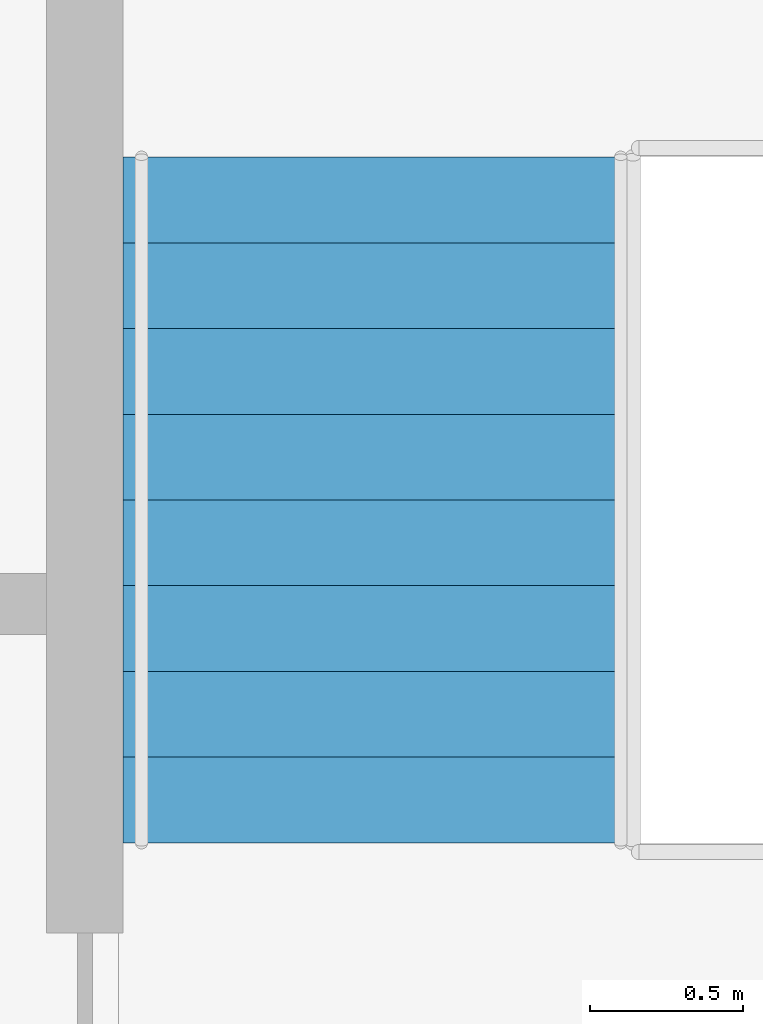
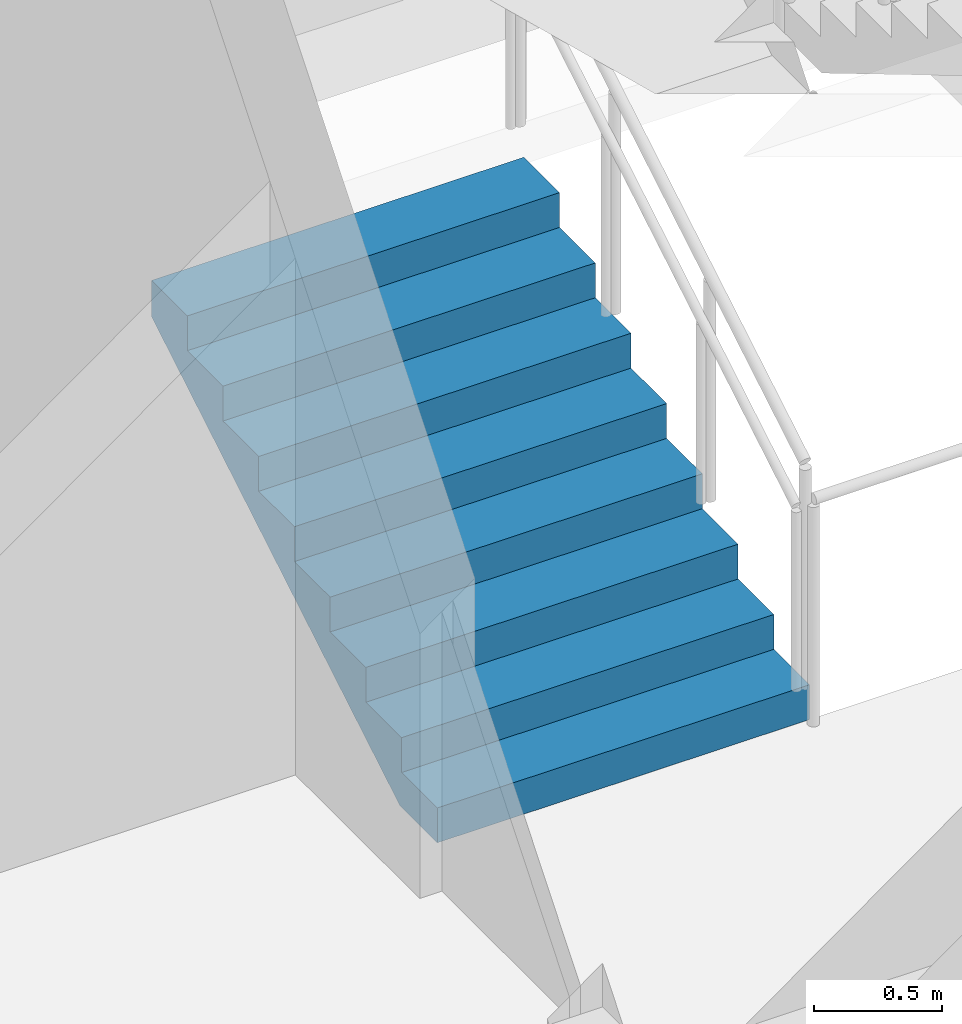
# One storey, part 27 of 57: 1 stair flight, 1 element without a shape of its own.
"""IFC4 building model written with IfcOpenShell, lengths in metres."""

from ifc_helpers import new_model, si_unit, direction, frame, origin, place, context, subcontext, project, spatial, triangles, material, type_object, element, aggregate, save


model = new_model("IFC4")

# Units and contexts
model_context = context("Model", 3, precision=1e-05, world=origin(), true_north=direction((0.0, 1.0)))
body_context = subcontext(model_context, "Body", "Model", "MODEL_VIEW")
ifc_project = project(units=[si_unit("LENGTHUNIT", "METRE"), si_unit("AREAUNIT", "SQUARE_METRE"), si_unit("VOLUMEUNIT", "CUBIC_METRE"), si_unit("PLANEANGLEUNIT", "RADIAN"), si_unit("MASSUNIT", "GRAM", prefix="KILO")], contexts=[model_context])

# Site, building, storey
site_placement = place(None, origin())
site = spatial("IfcSite", under=ifc_project, at=site_placement, CompositionType="ELEMENT")
building_placement = place(site_placement, origin())
building = spatial("IfcBuilding", under=site, at=building_placement, Name="Orbita Commons", CompositionType="ELEMENT")
storey_placement = place(building_placement, origin())
storey = spatial("IfcBuildingStorey", under=building, at=storey_placement, Name="L00", CompositionType="ELEMENT", Elevation=0.0)

# Stair, stair flight
ifc_material_1 = material(Name="Precast concrete C40/50", Category="concrete")
stair_type = type_object("IfcStairType", Name="Podium exit stair 4 flights 9 risers 167", PredefinedType="HALF_TURN_STAIR", material=ifc_material_1)
stair_placement = place(storey_placement, origin())
stair = element("IfcStair", 1, at=stair_placement, inside=storey, type_object=stair_type, Name="Podium exit stair PS1 L00", PredefinedType="HALF_TURN_STAIR")
ifc_material_2 = material(Name="Precast concrete C40/50", Category="concrete")
stair_flight_type = type_object("IfcStairFlightType", Name="Podium stair flight 9 risers 167 x 1685", PredefinedType="STRAIGHT", material=ifc_material_2)
stair_flight_placement = place(storey_placement, frame((7.5673828125, 29.820068359375, 0.0), z_axis=(0.0, 0.0, 1.0), x_axis=(0.0, 1.0, 0.0)))
stair_flight = element("IfcStairFlight", 2, at=stair_flight_placement, type_object=stair_flight_type, Name="PS1 flight 1", NumberOfRisers=9, NumberOfTreads=8, PredefinedType="STRAIGHT", RiserHeight=0.166666667, TreadLength=0.28, context=body_context, shape_type="Tessellation", body=[
    triangles([(0.0, 0.842529, 0.0), (0.0, 0.842529, 0.020833), (0.0, 0.702108, 0.020833), (0.0, 0.702108, 0.0), (0.0, 0.561686, 0.020833), (0.0, 0.561686, 0.0), (0.0, 0.421265, 0.020833), (0.0, 0.421265, 0.0), (0.0, 0.280843, 0.020833), (0.0, 0.280843, 0.0), (0.0, 0.140422, 0.020833), (0.0, 0.140422, 0.0), (0.0, 0.0, 0.020833), (0.0, 0.0, 0.0), (0.0, -0.140422, 0.020833), (0.0, -0.140422, 0.0), (0.0, -0.280843, 0.020833), (0.0, -0.280843, 0.0), (0.0, -0.421265, 0.020833), (0.0, -0.421265, 0.0), (0.0, -0.561686, 0.020833), (0.0, -0.561686, 0.0), (0.0, -0.702108, 0.020833), (0.0, -0.702108, 0.0), (0.0, -0.842529, 0.020833), (0.0, -0.842529, 0.0), (0.0, 0.842529, 0.041667), (0.0, 0.702108, 0.041667), (0.0, 0.561686, 0.041667), (0.0, 0.421265, 0.041667), (0.0, 0.280843, 0.041667), (0.0, 0.140422, 0.041667), (0.0, 0.0, 0.041667), (0.0, -0.140422, 0.041667), (0.0, -0.280843, 0.041667), (0.0, -0.421265, 0.041667), (0.0, -0.561686, 0.041667), (0.0, -0.702108, 0.041667), (0.0, -0.842529, 0.041667), (0.0, 0.842529, 0.0625), (0.0, 0.702108, 0.0625), (0.0, 0.561686, 0.0625), (0.0, 0.421265, 0.0625), (0.0, 0.280843, 0.0625), (0.0, 0.140422, 0.0625), (0.0, 0.0, 0.0625), (0.0, -0.140422, 0.0625), (0.0, -0.280843, 0.0625), (0.0, -0.421265, 0.0625), (0.0, -0.561686, 0.0625), (0.0, -0.702108, 0.0625), (0.0, -0.842529, 0.0625), (0.0, 0.842529, 0.083333), (0.0, 0.702108, 0.083333), (0.0, 0.561686, 0.083333), (0.0, 0.421265, 0.083333), (0.0, 0.280843, 0.083333), (0.0, 0.140422, 0.083333), (0.0, 0.0, 0.083333), (0.0, -0.140422, 0.083333), (0.0, -0.280843, 0.083333), (0.0, -0.421265, 0.083333), (0.0, -0.561686, 0.083333), (0.0, -0.702108, 0.083333), (0.0, -0.842529, 0.083333), (0.0, 0.842529, 0.104167), (0.0, 0.702108, 0.104167), (0.0, 0.561686, 0.104167), (0.0, 0.421265, 0.104167), (0.0, 0.280843, 0.104167), (0.0, 0.140422, 0.104167), (0.0, 0.0, 0.104167), (0.0, -0.140422, 0.104167), (0.0, -0.280843, 0.104167), (0.0, -0.421265, 0.104167), (0.0, -0.561686, 0.104167), (0.0, -0.702108, 0.104167), (0.0, -0.842529, 0.104167), (0.0, 0.842529, 0.125), (0.0, 0.702108, 0.125), (0.0, 0.561686, 0.125), (0.0, 0.421265, 0.125), (0.0, 0.280843, 0.125), (0.0, 0.140422, 0.125), (0.0, 0.0, 0.125), (0.0, -0.140422, 0.125), (0.0, -0.280843, 0.125), (0.0, -0.421265, 0.125), (0.0, -0.561686, 0.125), (0.0, -0.702108, 0.125), (0.0, -0.842529, 0.125), (0.0, 0.842529, 0.145833), (0.0, 0.702108, 0.145833), (0.0, 0.561686, 0.145833), (0.0, 0.421265, 0.145833), (0.0, 0.280843, 0.145833), (0.0, 0.140422, 0.145833), (0.0, 0.0, 0.145833), (0.0, -0.140422, 0.145833), (0.0, -0.280843, 0.145833), (0.0, -0.421265, 0.145833), (0.0, -0.561686, 0.145833), (0.0, -0.702108, 0.145833), (0.0, -0.842529, 0.145833), (0.0, 0.842529, 0.166667), (0.0, 0.702108, 0.166667), (0.0, 0.561686, 0.166667), (0.0, 0.421265, 0.166667), (0.0, 0.280843, 0.166667), (0.0, 0.140422, 0.166667), (0.0, 0.0, 0.166667), (0.0, -0.140422, 0.166667), (0.0, -0.280843, 0.166667), (0.0, -0.421265, 0.166667), (0.0, -0.561686, 0.166667), (0.0, -0.702108, 0.166667), (0.0, -0.842529, 0.166667), (0.28, 0.842529, 0.166667), (0.28, 0.702108, 0.166667), (0.28, 0.561686, 0.166667), (0.28, 0.421265, 0.166667), (0.28, 0.280843, 0.166667), (0.28, 0.140422, 0.166667), (0.28, 0.0, 0.166667), (0.28, -0.140422, 0.166667), (0.28, -0.280843, 0.166667), (0.28, -0.421265, 0.166667), (0.28, -0.561686, 0.166667), (0.28, -0.702108, 0.166667), (0.28, -0.842529, 0.166667), (0.28, 0.842529, 0.333333), (0.28, 0.702108, 0.333333), (0.28, 0.561686, 0.333333), (0.28, 0.421265, 0.333333), (0.28, 0.280843, 0.333333), (0.28, 0.140422, 0.333333), (0.28, 0.0, 0.333333), (0.28, -0.140422, 0.333333), (0.28, -0.280843, 0.333333), (0.28, -0.421265, 0.333333), (0.28, -0.561686, 0.333333), (0.28, -0.702108, 0.333333), (0.28, -0.842529, 0.333333), (0.56, 0.842529, 0.333333), (0.56, 0.702108, 0.333333), (0.56, 0.561686, 0.333333), (0.56, 0.421265, 0.333333), (0.56, 0.280843, 0.333333), (0.56, 0.140422, 0.333333), (0.56, 0.0, 0.333333), (0.56, -0.140422, 0.333333), (0.56, -0.280843, 0.333333), (0.56, -0.421265, 0.333333), (0.56, -0.561686, 0.333333), (0.56, -0.702108, 0.333333), (0.56, -0.842529, 0.333333), (0.56, 0.842529, 0.5), (0.56, 0.702108, 0.5), (0.56, 0.561686, 0.5), (0.56, 0.421265, 0.5), (0.56, 0.280843, 0.5), (0.56, 0.140422, 0.5), (0.56, 0.0, 0.5), (0.56, -0.140422, 0.5), (0.56, -0.280843, 0.5), (0.56, -0.421265, 0.5), (0.56, -0.561686, 0.5), (0.56, -0.702108, 0.5), (0.56, -0.842529, 0.5), (0.84, 0.842529, 0.5), (0.84, 0.702108, 0.5), (0.84, 0.561686, 0.5), (0.84, 0.421265, 0.5), (0.84, 0.280843, 0.5), (0.84, 0.140422, 0.5), (0.84, 0.0, 0.5), (0.84, -0.140422, 0.5), (0.84, -0.280843, 0.5), (0.84, -0.421265, 0.5), (0.84, -0.561686, 0.5), (0.84, -0.702108, 0.5), (0.84, -0.842529, 0.5), (0.84, 0.842529, 0.666667), (0.84, 0.702108, 0.666667), (0.84, 0.561686, 0.666667), (0.84, 0.421265, 0.666667), (0.84, 0.280843, 0.666667), (0.84, 0.140422, 0.666667), (0.84, 0.0, 0.666667), (0.84, -0.140422, 0.666667), (0.84, -0.280843, 0.666667), (0.84, -0.421265, 0.666667), (0.84, -0.561686, 0.666667), (0.84, -0.702108, 0.666667), (0.84, -0.842529, 0.666667), (1.12, 0.842529, 0.666667), (1.12, 0.702108, 0.666667), (1.12, 0.561686, 0.666667), (1.12, 0.421265, 0.666667), (1.12, 0.280843, 0.666667), (1.12, 0.140422, 0.666667), (1.12, 0.0, 0.666667), (1.12, -0.140422, 0.666667), (1.12, -0.280843, 0.666667), (1.12, -0.421265, 0.666667), (1.12, -0.561686, 0.666667), (1.12, -0.702108, 0.666667), (1.12, -0.842529, 0.666667), (1.12, 0.842529, 0.833333), (1.12, 0.702108, 0.833333), (1.12, 0.561686, 0.833333), (1.12, 0.421265, 0.833333), (1.12, 0.280843, 0.833333), (1.12, 0.140422, 0.833333), (1.12, 0.0, 0.833333), (1.12, -0.140422, 0.833333), (1.12, -0.280843, 0.833333), (1.12, -0.421265, 0.833333), (1.12, -0.561686, 0.833333), (1.12, -0.702108, 0.833333), (1.12, -0.842529, 0.833333), (1.4, 0.842529, 0.833333), (1.4, 0.702108, 0.833333), (1.4, 0.561686, 0.833333), (1.4, 0.421265, 0.833333), (1.4, 0.280843, 0.833333), (1.4, 0.140422, 0.833333), (1.4, 0.0, 0.833333), (1.4, -0.140422, 0.833333), (1.4, -0.280843, 0.833333), (1.4, -0.421265, 0.833333), (1.4, -0.561686, 0.833333), (1.4, -0.702108, 0.833333), (1.4, -0.842529, 0.833333), (1.4, 0.842529, 1.0), (1.4, 0.702108, 1.0), (1.4, 0.561686, 1.0), (1.4, 0.421265, 1.0), (1.4, 0.280843, 1.0), (1.4, 0.140422, 1.0), (1.4, 0.0, 1.0), (1.4, -0.140422, 1.0), (1.4, -0.280843, 1.0), (1.4, -0.421265, 1.0), (1.4, -0.561686, 1.0), (1.4, -0.702108, 1.0), (1.4, -0.842529, 1.0), (1.68, 0.842529, 1.0), (1.68, 0.702108, 1.0), (1.68, 0.561686, 1.0), (1.68, 0.421265, 1.0), (1.68, 0.280843, 1.0), (1.68, 0.140422, 1.0), (1.68, 0.0, 1.0), (1.68, -0.140422, 1.0), (1.68, -0.280843, 1.0), (1.68, -0.421265, 1.0), (1.68, -0.561686, 1.0), (1.68, -0.702108, 1.0), (1.68, -0.842529, 1.0), (1.68, 0.842529, 1.166667), (1.68, 0.702108, 1.166667), (1.68, 0.561686, 1.166667), (1.68, 0.421265, 1.166667), (1.68, 0.280843, 1.166667), (1.68, 0.140422, 1.166667), (1.68, 0.0, 1.166667), (1.68, -0.140422, 1.166667), (1.68, -0.280843, 1.166667), (1.68, -0.421265, 1.166667), (1.68, -0.561686, 1.166667), (1.68, -0.702108, 1.166667), (1.68, -0.842529, 1.166667), (1.96, 0.842529, 1.166667), (1.96, 0.702108, 1.166667), (1.96, 0.561686, 1.166667), (1.96, 0.421265, 1.166667), (1.96, 0.280843, 1.166667), (1.96, 0.140422, 1.166667), (1.96, 0.0, 1.166667), (1.96, -0.140422, 1.166667), (1.96, -0.280843, 1.166667), (1.96, -0.421265, 1.166667), (1.96, -0.561686, 1.166667), (1.96, -0.702108, 1.166667), (1.96, -0.842529, 1.166667), (1.96, 0.842529, 1.333333), (1.96, 0.702108, 1.333333), (1.96, 0.561686, 1.333333), (1.96, 0.421265, 1.333333), (1.96, 0.280843, 1.333333), (1.96, 0.140422, 1.333333), (1.96, 0.0, 1.333333), (1.96, -0.140422, 1.333333), (1.96, -0.280843, 1.333333), (1.96, -0.421265, 1.333333), (1.96, -0.561686, 1.333333), (1.96, -0.702108, 1.333333), (1.96, -0.842529, 1.333333), (2.24, 0.842529, 1.333333), (2.24, 0.702108, 1.333333), (2.24, 0.561686, 1.333333), (2.24, 0.421265, 1.333333), (2.24, 0.280843, 1.333333), (2.24, 0.140422, 1.333333), (2.24, 0.0, 1.333333), (2.24, -0.140422, 1.333333), (2.24, -0.280843, 1.333333), (2.24, -0.421265, 1.333333), (2.24, -0.561686, 1.333333), (2.24, -0.702108, 1.333333), (2.24, -0.842529, 1.333333), (2.24, 0.842529, 1.311527), (2.24, 0.702108, 1.311527), (2.24, 0.561686, 1.311527), (2.24, 0.421265, 1.311527), (2.24, 0.280843, 1.311527), (2.24, 0.140422, 1.311527), (2.24, 0.0, 1.311527), (2.24, -0.140422, 1.311527), (2.24, -0.280843, 1.311527), (2.24, -0.421265, 1.311527), (2.24, -0.561686, 1.311527), (2.24, -0.702108, 1.311527), (2.24, -0.842529, 1.311527), (2.24, 0.842529, 1.289721), (2.24, 0.702108, 1.289721), (2.24, 0.561686, 1.289721), (2.24, 0.421265, 1.289721), (2.24, 0.280843, 1.289721), (2.24, 0.140422, 1.289721), (2.24, 0.0, 1.289721), (2.24, -0.140422, 1.289721), (2.24, -0.280843, 1.289721), (2.24, -0.421265, 1.289721), (2.24, -0.561686, 1.289721), (2.24, -0.702108, 1.289721), (2.24, -0.842529, 1.289721), (2.24, 0.842529, 1.267915), (2.24, 0.702108, 1.267915), (2.24, 0.561686, 1.267915), (2.24, 0.421265, 1.267915), (2.24, 0.280843, 1.267915), (2.24, 0.140422, 1.267915), (2.24, 0.0, 1.267915), (2.24, -0.140422, 1.267915), (2.24, -0.280843, 1.267915), (2.24, -0.421265, 1.267915), (2.24, -0.561686, 1.267915), (2.24, -0.702108, 1.267915), (2.24, -0.842529, 1.267915), (2.24, 0.842529, 1.246109), (2.24, 0.702108, 1.246109), (2.24, 0.561686, 1.246109), (2.24, 0.421265, 1.246109), (2.24, 0.280843, 1.246109), (2.24, 0.140422, 1.246109), (2.24, 0.0, 1.246109), (2.24, -0.140422, 1.246109), (2.24, -0.280843, 1.246109), (2.24, -0.421265, 1.246109), (2.24, -0.561686, 1.246109), (2.24, -0.702108, 1.246109), (2.24, -0.842529, 1.246109), (2.24, 0.842529, 1.224303), (2.24, 0.702108, 1.224303), (2.24, 0.561686, 1.224303), (2.24, 0.421265, 1.224303), (2.24, 0.280843, 1.224303), (2.24, 0.140422, 1.224303), (2.24, 0.0, 1.224303), (2.24, -0.140422, 1.224303), (2.24, -0.280843, 1.224303), (2.24, -0.421265, 1.224303), (2.24, -0.561686, 1.224303), (2.24, -0.702108, 1.224303), (2.24, -0.842529, 1.224303), (2.24, 0.842529, 1.202497), (2.24, 0.702108, 1.202497), (2.24, 0.561686, 1.202497), (2.24, 0.421265, 1.202497), (2.24, 0.280843, 1.202497), (2.24, 0.140422, 1.202497), (2.24, 0.0, 1.202497), (2.24, -0.140422, 1.202497), (2.24, -0.280843, 1.202497), (2.24, -0.421265, 1.202497), (2.24, -0.561686, 1.202497), (2.24, -0.702108, 1.202497), (2.24, -0.842529, 1.202497), (2.24, 0.842529, 1.180691), (2.24, 0.702108, 1.180691), (2.24, 0.561686, 1.180691), (2.24, 0.421265, 1.180691), (2.24, 0.280843, 1.180691), (2.24, 0.140422, 1.180691), (2.24, 0.0, 1.180691), (2.24, -0.140422, 1.180691), (2.24, -0.280843, 1.180691), (2.24, -0.421265, 1.180691), (2.24, -0.561686, 1.180691), (2.24, -0.702108, 1.180691), (2.24, -0.842529, 1.180691), (2.24, 0.842529, 1.158885), (2.24, 0.702108, 1.158885), (2.24, 0.561686, 1.158885), (2.24, 0.421265, 1.158885), (2.24, 0.280843, 1.158885), (2.24, 0.140422, 1.158885), (2.24, 0.0, 1.158885), (2.24, -0.140422, 1.158885), (2.24, -0.280843, 1.158885), (2.24, -0.421265, 1.158885), (2.24, -0.561686, 1.158885), (2.24, -0.702108, 1.158885), (2.24, -0.842529, 1.158885), (0.293073, 0.842529, 0.0), (0.293073, 0.702108, 0.0), (0.293073, 0.561686, 0.0), (0.293073, 0.421265, 0.0), (0.293073, 0.280843, 0.0), (0.293073, 0.140422, 0.0), (0.293073, 0.0, 0.0), (0.293073, -0.140422, 0.0), (0.293073, -0.280843, 0.0), (0.293073, -0.421265, 0.0), (0.293073, -0.561686, 0.0), (0.293073, -0.702108, 0.0), (0.293073, -0.842529, 0.0)], [[3, 2, 1], [4, 3, 1], [5, 3, 4], [6, 5, 4], [7, 5, 6], [8, 7, 6], [9, 7, 8], [10, 9, 8], [11, 9, 10], [12, 11, 10], [13, 11, 12], [14, 13, 12], [15, 13, 14], [16, 15, 14], [17, 15, 16], [18, 17, 16], [19, 17, 18], [20, 19, 18], [21, 19, 20], [22, 21, 20], [23, 21, 22], [24, 23, 22], [25, 23, 24], [26, 25, 24], [28, 27, 2], [3, 28, 2], [29, 28, 3], [5, 29, 3], [30, 29, 5], [7, 30, 5], [31, 30, 7], [9, 31, 7], [32, 31, 9], [11, 32, 9], [33, 32, 11], [13, 33, 11], [34, 33, 13], [15, 34, 13], [35, 34, 15], [17, 35, 15], [36, 35, 17], [19, 36, 17], [37, 36, 19], [21, 37, 19], [38, 37, 21], [23, 38, 21], [39, 38, 23], [25, 39, 23], [41, 40, 27], [28, 41, 27], [42, 41, 28], [29, 42, 28], [43, 42, 29], [30, 43, 29], [44, 43, 30], [31, 44, 30], [45, 44, 31], [32, 45, 31], [46, 45, 32], [33, 46, 32], [47, 46, 33], [34, 47, 33], [48, 47, 34], [35, 48, 34], [49, 48, 35], [36, 49, 35], [50, 49, 36], [37, 50, 36], [51, 50, 37], [38, 51, 37], [52, 51, 38], [39, 52, 38], [54, 53, 40], [41, 54, 40], [55, 54, 41], [42, 55, 41], [56, 55, 42], [43, 56, 42], [57, 56, 43], [44, 57, 43], [58, 57, 44], [45, 58, 44], [59, 58, 45], [46, 59, 45], [60, 59, 46], [47, 60, 46], [61, 60, 47], [48, 61, 47], [62, 61, 48], [49, 62, 48], [63, 62, 49], [50, 63, 49], [64, 63, 50], [51, 64, 50], [65, 64, 51], [52, 65, 51], [67, 66, 53], [54, 67, 53], [68, 67, 54], [55, 68, 54], [69, 68, 55], [56, 69, 55], [70, 69, 56], [57, 70, 56], [71, 70, 57], [58, 71, 57], [72, 71, 58], [59, 72, 58], [73, 72, 59], [60, 73, 59], [74, 73, 60], [61, 74, 60], [75, 74, 61], [62, 75, 61], [76, 75, 62], [63, 76, 62], [77, 76, 63], [64, 77, 63], [78, 77, 64], [65, 78, 64], [80, 79, 66], [67, 80, 66], [81, 80, 67], [68, 81, 67], [82, 81, 68], [69, 82, 68], [83, 82, 69], [70, 83, 69], [84, 83, 70], [71, 84, 70], [85, 84, 71], [72, 85, 71], [86, 85, 72], [73, 86, 72], [87, 86, 73], [74, 87, 73], [88, 87, 74], [75, 88, 74], [89, 88, 75], [76, 89, 75], [90, 89, 76], [77, 90, 76], [91, 90, 77], [78, 91, 77], [93, 92, 79], [80, 93, 79], [94, 93, 80], [81, 94, 80], [95, 94, 81], [82, 95, 81], [96, 95, 82], [83, 96, 82], [97, 96, 83], [84, 97, 83], [98, 97, 84], [85, 98, 84], [99, 98, 85], [86, 99, 85], [100, 99, 86], [87, 100, 86], [101, 100, 87], [88, 101, 87], [102, 101, 88], [89, 102, 88], [103, 102, 89], [90, 103, 89], [104, 103, 90], [91, 104, 90], [106, 105, 92], [93, 106, 92], [107, 106, 93], [94, 107, 93], [108, 107, 94], [95, 108, 94], [109, 108, 95], [96, 109, 95], [110, 109, 96], [97, 110, 96], [111, 110, 97], [98, 111, 97], [112, 111, 98], [99, 112, 98], [113, 112, 99], [100, 113, 99], [114, 113, 100], [101, 114, 100], [115, 114, 101], [102, 115, 101], [116, 115, 102], [103, 116, 102], [117, 116, 103], [104, 117, 103], [119, 118, 105], [106, 119, 105], [120, 119, 106], [107, 120, 106], [121, 120, 107], [108, 121, 107], [122, 121, 108], [109, 122, 108], [123, 122, 109], [110, 123, 109], [124, 123, 110], [111, 124, 110], [125, 124, 111], [112, 125, 111], [126, 125, 112], [113, 126, 112], [127, 126, 113], [114, 127, 113], [128, 127, 114], [115, 128, 114], [129, 128, 115], [116, 129, 115], [130, 129, 116], [117, 130, 116], [132, 131, 118], [119, 132, 118], [133, 132, 119], [120, 133, 119], [134, 133, 120], [121, 134, 120], [135, 134, 121], [122, 135, 121], [136, 135, 122], [123, 136, 122], [137, 136, 123], [124, 137, 123], [138, 137, 124], [125, 138, 124], [139, 138, 125], [126, 139, 125], [140, 139, 126], [127, 140, 126], [141, 140, 127], [128, 141, 127], [142, 141, 128], [129, 142, 128], [143, 142, 129], [130, 143, 129], [145, 144, 131], [132, 145, 131], [146, 145, 132], [133, 146, 132], [147, 146, 133], [134, 147, 133], [148, 147, 134], [135, 148, 134], [149, 148, 135], [136, 149, 135], [150, 149, 136], [137, 150, 136], [151, 150, 137], [138, 151, 137], [152, 151, 138], [139, 152, 138], [153, 152, 139], [140, 153, 139], [154, 153, 140], [141, 154, 140], [155, 154, 141], [142, 155, 141], [156, 155, 142], [143, 156, 142], [158, 157, 144], [145, 158, 144], [159, 158, 145], [146, 159, 145], [160, 159, 146], [147, 160, 146], [161, 160, 147], [148, 161, 147], [162, 161, 148], [149, 162, 148], [163, 162, 149], [150, 163, 149], [164, 163, 150], [151, 164, 150], [165, 164, 151], [152, 165, 151], [166, 165, 152], [153, 166, 152], [167, 166, 153], [154, 167, 153], [168, 167, 154], [155, 168, 154], [169, 168, 155], [156, 169, 155], [171, 170, 157], [158, 171, 157], [172, 171, 158], [159, 172, 158], [173, 172, 159], [160, 173, 159], [174, 173, 160], [161, 174, 160], [175, 174, 161], [162, 175, 161], [176, 175, 162], [163, 176, 162], [177, 176, 163], [164, 177, 163], [178, 177, 164], [165, 178, 164], [179, 178, 165], [166, 179, 165], [180, 179, 166], [167, 180, 166], [181, 180, 167], [168, 181, 167], [182, 181, 168], [169, 182, 168], [184, 183, 170], [171, 184, 170], [185, 184, 171], [172, 185, 171], [186, 185, 172], [173, 186, 172], [187, 186, 173], [174, 187, 173], [188, 187, 174], [175, 188, 174], [189, 188, 175], [176, 189, 175], [190, 189, 176], [177, 190, 176], [191, 190, 177], [178, 191, 177], [192, 191, 178], [179, 192, 178], [193, 192, 179], [180, 193, 179], [194, 193, 180], [181, 194, 180], [195, 194, 181], [182, 195, 181], [197, 196, 183], [184, 197, 183], [198, 197, 184], [185, 198, 184], [199, 198, 185], [186, 199, 185], [200, 199, 186], [187, 200, 186], [201, 200, 187], [188, 201, 187], [202, 201, 188], [189, 202, 188], [203, 202, 189], [190, 203, 189], [204, 203, 190], [191, 204, 190], [205, 204, 191], [192, 205, 191], [206, 205, 192], [193, 206, 192], [207, 206, 193], [194, 207, 193], [208, 207, 194], [195, 208, 194], [210, 209, 196], [197, 210, 196], [211, 210, 197], [198, 211, 197], [212, 211, 198], [199, 212, 198], [213, 212, 199], [200, 213, 199], [214, 213, 200], [201, 214, 200], [215, 214, 201], [202, 215, 201], [216, 215, 202], [203, 216, 202], [217, 216, 203], [204, 217, 203], [218, 217, 204], [205, 218, 204], [219, 218, 205], [206, 219, 205], [220, 219, 206], [207, 220, 206], [221, 220, 207], [208, 221, 207], [223, 222, 209], [210, 223, 209], [224, 223, 210], [211, 224, 210], [225, 224, 211], [212, 225, 211], [226, 225, 212], [213, 226, 212], [227, 226, 213], [214, 227, 213], [228, 227, 214], [215, 228, 214], [229, 228, 215], [216, 229, 215], [230, 229, 216], [217, 230, 216], [231, 230, 217], [218, 231, 217], [232, 231, 218], [219, 232, 218], [233, 232, 219], [220, 233, 219], [234, 233, 220], [221, 234, 220], [236, 235, 222], [223, 236, 222], [237, 236, 223], [224, 237, 223], [238, 237, 224], [225, 238, 224], [239, 238, 225], [226, 239, 225], [240, 239, 226], [227, 240, 226], [241, 240, 227], [228, 241, 227], [242, 241, 228], [229, 242, 228], [243, 242, 229], [230, 243, 229], [244, 243, 230], [231, 244, 230], [245, 244, 231], [232, 245, 231], [246, 245, 232], [233, 246, 232], [247, 246, 233], [234, 247, 233], [249, 248, 235], [236, 249, 235], [250, 249, 236], [237, 250, 236], [251, 250, 237], [238, 251, 237], [252, 251, 238], [239, 252, 238], [253, 252, 239], [240, 253, 239], [254, 253, 240], [241, 254, 240], [255, 254, 241], [242, 255, 241], [256, 255, 242], [243, 256, 242], [257, 256, 243], [244, 257, 243], [258, 257, 244], [245, 258, 244], [259, 258, 245], [246, 259, 245], [260, 259, 246], [247, 260, 246], [262, 261, 248], [249, 262, 248], [263, 262, 249], [250, 263, 249], [264, 263, 250], [251, 264, 250], [265, 264, 251], [252, 265, 251], [266, 265, 252], [253, 266, 252], [267, 266, 253], [254, 267, 253], [268, 267, 254], [255, 268, 254], [269, 268, 255], [256, 269, 255], [270, 269, 256], [257, 270, 256], [271, 270, 257], [258, 271, 257], [272, 271, 258], [259, 272, 258], [273, 272, 259], [260, 273, 259], [275, 274, 261], [262, 275, 261], [276, 275, 262], [263, 276, 262], [277, 276, 263], [264, 277, 263], [278, 277, 264], [265, 278, 264], [279, 278, 265], [266, 279, 265], [280, 279, 266], [267, 280, 266], [281, 280, 267], [268, 281, 267], [282, 281, 268], [269, 282, 268], [283, 282, 269], [270, 283, 269], [284, 283, 270], [271, 284, 270], [285, 284, 271], [272, 285, 271], [286, 285, 272], [273, 286, 272], [288, 287, 274], [275, 288, 274], [289, 288, 275], [276, 289, 275], [290, 289, 276], [277, 290, 276], [291, 290, 277], [278, 291, 277], [292, 291, 278], [279, 292, 278], [293, 292, 279], [280, 293, 279], [294, 293, 280], [281, 294, 280], [295, 294, 281], [282, 295, 281], [296, 295, 282], [283, 296, 282], [297, 296, 283], [284, 297, 283], [298, 297, 284], [285, 298, 284], [299, 298, 285], [286, 299, 285], [301, 300, 287], [288, 301, 287], [302, 301, 288], [289, 302, 288], [303, 302, 289], [290, 303, 289], [304, 303, 290], [291, 304, 290], [305, 304, 291], [292, 305, 291], [306, 305, 292], [293, 306, 292], [307, 306, 293], [294, 307, 293], [308, 307, 294], [295, 308, 294], [309, 308, 295], [296, 309, 295], [310, 309, 296], [297, 310, 296], [311, 310, 297], [298, 311, 297], [312, 311, 298], [299, 312, 298], [314, 313, 300], [301, 314, 300], [315, 314, 301], [302, 315, 301], [316, 315, 302], [303, 316, 302], [317, 316, 303], [304, 317, 303], [318, 317, 304], [305, 318, 304], [319, 318, 305], [306, 319, 305], [320, 319, 306], [307, 320, 306], [321, 320, 307], [308, 321, 307], [322, 321, 308], [309, 322, 308], [323, 322, 309], [310, 323, 309], [324, 323, 310], [311, 324, 310], [325, 324, 311], [312, 325, 311], [327, 326, 313], [314, 327, 313], [328, 327, 314], [315, 328, 314], [329, 328, 315], [316, 329, 315], [330, 329, 316], [317, 330, 316], [331, 330, 317], [318, 331, 317], [332, 331, 318], [319, 332, 318], [333, 332, 319], [320, 333, 319], [334, 333, 320], [321, 334, 320], [335, 334, 321], [322, 335, 321], [336, 335, 322], [323, 336, 322], [337, 336, 323], [324, 337, 323], [338, 337, 324], [325, 338, 324], [340, 339, 326], [327, 340, 326], [341, 340, 327], [328, 341, 327], [342, 341, 328], [329, 342, 328], [343, 342, 329], [330, 343, 329], [344, 343, 330], [331, 344, 330], [345, 344, 331], [332, 345, 331], [346, 345, 332], [333, 346, 332], [347, 346, 333], [334, 347, 333], [348, 347, 334], [335, 348, 334], [349, 348, 335], [336, 349, 335], [350, 349, 336], [337, 350, 336], [351, 350, 337], [338, 351, 337], [353, 352, 339], [340, 353, 339], [354, 353, 340], [341, 354, 340], [355, 354, 341], [342, 355, 341], [356, 355, 342], [343, 356, 342], [357, 356, 343], [344, 357, 343], [358, 357, 344], [345, 358, 344], [359, 358, 345], [346, 359, 345], [360, 359, 346], [347, 360, 346], [361, 360, 347], [348, 361, 347], [362, 361, 348], [349, 362, 348], [363, 362, 349], [350, 363, 349], [364, 363, 350], [351, 364, 350], [366, 365, 352], [353, 366, 352], [367, 366, 353], [354, 367, 353], [368, 367, 354], [355, 368, 354], [369, 368, 355], [356, 369, 355], [370, 369, 356], [357, 370, 356], [371, 370, 357], [358, 371, 357], [372, 371, 358], [359, 372, 358], [373, 372, 359], [360, 373, 359], [374, 373, 360], [361, 374, 360], [375, 374, 361], [362, 375, 361], [376, 375, 362], [363, 376, 362], [377, 376, 363], [364, 377, 363], [379, 378, 365], [366, 379, 365], [380, 379, 366], [367, 380, 366], [381, 380, 367], [368, 381, 367], [382, 381, 368], [369, 382, 368], [383, 382, 369], [370, 383, 369], [384, 383, 370], [371, 384, 370], [385, 384, 371], [372, 385, 371], [386, 385, 372], [373, 386, 372], [387, 386, 373], [374, 387, 373], [388, 387, 374], [375, 388, 374], [389, 388, 375], [376, 389, 375], [390, 389, 376], [377, 390, 376], [392, 391, 378], [379, 392, 378], [393, 392, 379], [380, 393, 379], [394, 393, 380], [381, 394, 380], [395, 394, 381], [382, 395, 381], [396, 395, 382], [383, 396, 382], [397, 396, 383], [384, 397, 383], [398, 397, 384], [385, 398, 384], [399, 398, 385], [386, 399, 385], [400, 399, 386], [387, 400, 386], [401, 400, 387], [388, 401, 387], [402, 401, 388], [389, 402, 388], [403, 402, 389], [390, 403, 389], [405, 404, 391], [392, 405, 391], [406, 405, 392], [393, 406, 392], [407, 406, 393], [394, 407, 393], [408, 407, 394], [395, 408, 394], [409, 408, 395], [396, 409, 395], [410, 409, 396], [397, 410, 396], [411, 410, 397], [398, 411, 397], [412, 411, 398], [399, 412, 398], [413, 412, 399], [400, 413, 399], [414, 413, 400], [401, 414, 400], [415, 414, 401], [402, 415, 401], [416, 415, 402], [403, 416, 402], [418, 417, 404], [405, 418, 404], [419, 418, 405], [406, 419, 405], [420, 419, 406], [407, 420, 406], [421, 420, 407], [408, 421, 407], [422, 421, 408], [409, 422, 408], [423, 422, 409], [410, 423, 409], [424, 423, 410], [411, 424, 410], [425, 424, 411], [412, 425, 411], [426, 425, 412], [413, 426, 412], [427, 426, 413], [414, 427, 413], [428, 427, 414], [415, 428, 414], [429, 428, 415], [416, 429, 415], [4, 1, 417], [418, 4, 417], [6, 4, 418], [419, 6, 418], [8, 6, 419], [420, 8, 419], [10, 8, 420], [421, 10, 420], [12, 10, 421], [422, 12, 421], [14, 12, 422], [423, 14, 422], [16, 14, 423], [424, 16, 423], [18, 16, 424], [425, 18, 424], [20, 18, 425], [426, 20, 425], [22, 20, 426], [427, 22, 426], [24, 22, 427], [428, 24, 427], [26, 24, 428], [429, 26, 428], [404, 417, 1], [26, 429, 416], [391, 404, 1], [26, 416, 403], [378, 391, 1], [26, 403, 390], [365, 378, 1], [26, 390, 377], [352, 365, 1], [26, 377, 364], [339, 352, 1], [26, 364, 351], [326, 339, 1], [26, 351, 338], [313, 326, 1], [26, 338, 325], [287, 300, 313], [325, 312, 299], [274, 287, 313], [325, 299, 286], [248, 261, 274], [286, 273, 260], [248, 274, 313], [325, 286, 260], [222, 235, 248], [260, 247, 234], [222, 248, 313], [325, 260, 234], [196, 209, 222], [234, 221, 208], [196, 222, 313], [325, 234, 208], [170, 183, 196], [208, 195, 182], [170, 196, 313], [325, 208, 182], [144, 157, 170], [182, 169, 156], [144, 170, 313], [325, 182, 156], [118, 131, 144], [156, 143, 130], [118, 144, 313], [325, 156, 130], [118, 313, 1], [26, 325, 130], [92, 105, 118], [130, 117, 104], [79, 92, 118], [130, 104, 91], [66, 79, 118], [130, 91, 78], [53, 66, 118], [130, 78, 65], [40, 53, 118], [130, 65, 52], [27, 40, 118], [130, 52, 39], [2, 27, 118], [130, 39, 25], [1, 2, 118], [130, 25, 26]], closed=True),
])
aggregate(stair, [stair_flight])

save(model, "model.ifc")
